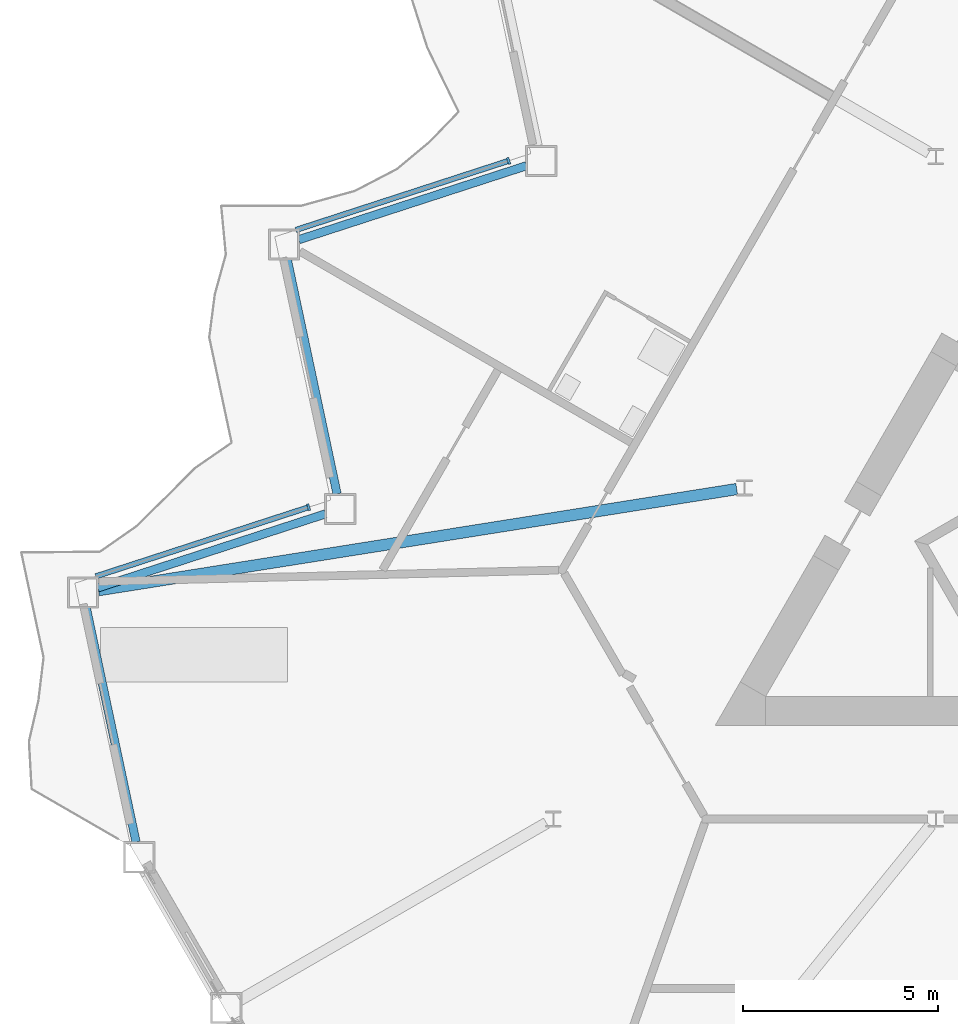
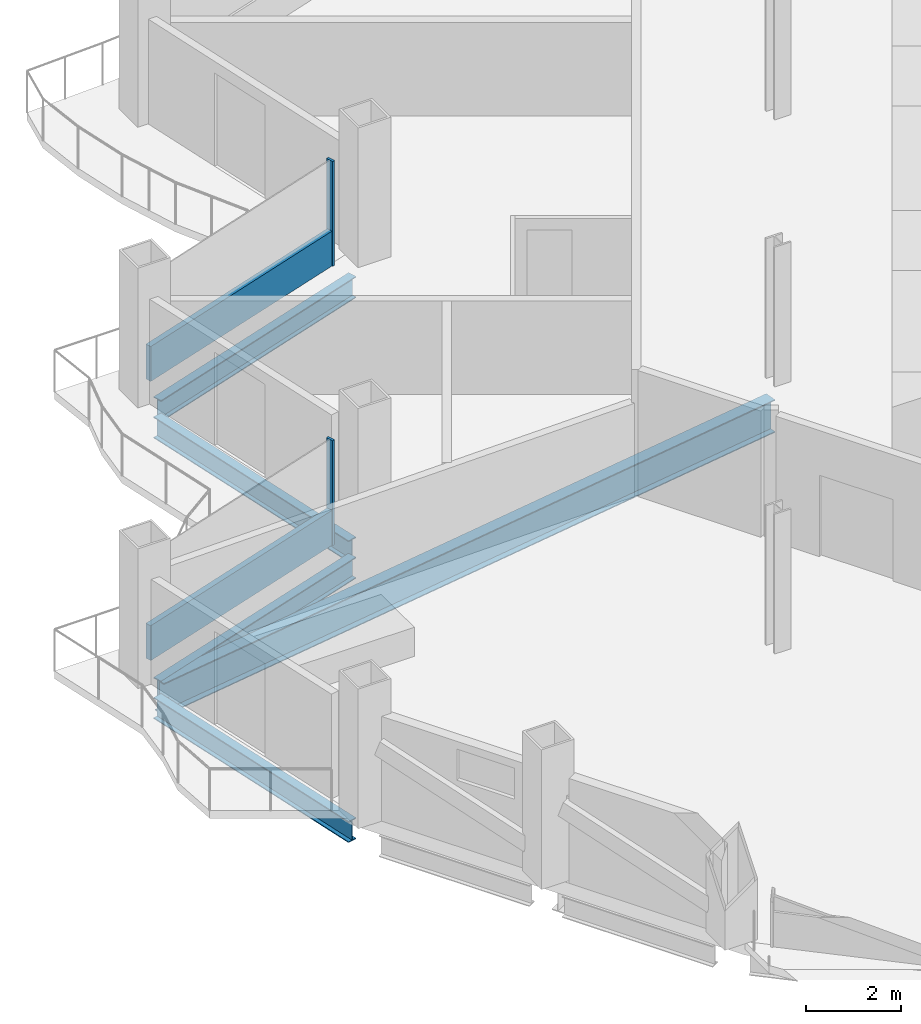
# One storey, part 4 of 22: 5 beams, 4 members, 2 elements without a shape of their own.
"""IFC4 building model written with IfcOpenShell, lengths in metres."""

import ifcopenshell
import ifcopenshell.guid

model = None  # the IFC model being written
_history = None  # IfcOwnerHistory: only IFC2X3 demands one
_inside = {}  # id of a spatial element -> (the spatial element, [elements in it])
_under = {}  # id of a project, library or spatial element -> (it, [spatial elements below it])
_declared = {}  # id of a project -> (the project, [libraries it declares])
_typed = {}  # id of a type object -> (the type object, [elements of that type])
_made_of = {}  # id of a material, layer set ... -> (it, [elements and type objects made of it])


def new_model(schema):
    """Start an empty IFC model of exactly this schema.

    Asked for "IFC4X3", IfcOpenShell would pick the latest addendum, in which some entities
    have other attributes; the version numbers below select the first issue.
    IFC2X3 requires an IfcOwnerHistory on every rooted entity: one is made here for all.
    """
    global model, _history
    if schema == "IFC4X3":
        model = ifcopenshell.file(schema_version=(4, 3, 0, 0))
    else:
        model = ifcopenshell.file(schema=schema)
    _inside.clear()
    _under.clear()
    _declared.clear()
    _typed.clear()
    _made_of.clear()
    _history = None
    if model.schema == "IFC2X3":
        org = make("IfcOrganization", Name="unknown")
        user = make(
            "IfcPersonAndOrganization",
            ThePerson=make("IfcPerson", FamilyName="unknown"),
            TheOrganization=org,
        )
        app = make(
            "IfcApplication",
            ApplicationDeveloper=org,
            Version="unknown",
            ApplicationFullName="unknown",
            ApplicationIdentifier="unknown",
        )
        _history = make(
            "IfcOwnerHistory",
            OwningUser=user,
            OwningApplication=app,
            ChangeAction="ADDED",
            CreationDate=0,
        )
    return model


def make(cls, **values):
    """One entity of the class cls with the attributes given. An attribute that is None is left unset."""
    return model.create_entity(
        cls, **{name: value for name, value in values.items() if value is not None}
    )


def rooted(cls, **values):
    """An entity with a GlobalId (a new one), such as an element, a storey or a relation."""
    return make(cls, GlobalId=ifcopenshell.guid.new(), OwnerHistory=_history, **values)


def si_unit(unit_type, name, prefix=None):
    """IfcSIUnit, for example si_unit("LENGTHUNIT", "METRE", prefix="MILLI")."""
    return make("IfcSIUnit", UnitType=unit_type, Prefix=prefix, Name=name)


def assignment(units):
    """IfcUnitAssignment: the units of a project."""
    return None if units is None else make("IfcUnitAssignment", Units=units)


def point(xyz):
    """IfcCartesianPoint."""
    return None if xyz is None else make("IfcCartesianPoint", Coordinates=xyz)


def direction(xyz):
    """IfcDirection."""
    return None if xyz is None else make("IfcDirection", DirectionRatios=xyz)


def frame(location, z_axis=None, x_axis=None):
    """IfcAxis2Placement3D, a coordinate frame: its origin and axes. An axis left out is left unset."""
    return make(
        "IfcAxis2Placement3D",
        Location=point(location),
        Axis=direction(z_axis),
        RefDirection=direction(x_axis),
    )


def frame_2d(location, x_axis=None):
    """IfcAxis2Placement2D, a coordinate frame in the plane: its origin and x axis."""
    return make(
        "IfcAxis2Placement2D", Location=point(location), RefDirection=direction(x_axis)
    )


def origin():
    """The frame at (0, 0, 0) with its axes left unset."""
    return frame((0.0, 0.0, 0.0))


def origin_2d():
    """The frame at (0, 0) in the plane with its x axis left unset."""
    return frame_2d((0.0, 0.0))


def place(relative_to, where):
    """IfcLocalPlacement: puts the frame where relative to a parent placement (None: the world)."""
    return make(
        "IfcLocalPlacement", PlacementRelTo=relative_to, RelativePlacement=where
    )


def context(
    kind, dimensions, precision=None, world=None, true_north=None, identifier=None
):
    """IfcGeometricRepresentationContext, for example the 3D "Model" context."""
    return make(
        "IfcGeometricRepresentationContext",
        ContextIdentifier=identifier,
        ContextType=kind,
        CoordinateSpaceDimension=dimensions,
        Precision=precision,
        WorldCoordinateSystem=world,
        TrueNorth=true_north,
    )


def subcontext(parent, identifier, kind, view, scale=None):
    """IfcGeometricRepresentationSubContext, for example "Body" below "Model"."""
    return make(
        "IfcGeometricRepresentationSubContext",
        ContextIdentifier=identifier,
        ContextType=kind,
        ParentContext=parent,
        TargetScale=scale,
        TargetView=view,
    )


def project(units=None, contexts=None):
    """IfcProject with its units and contexts."""
    return rooted(
        "IfcProject",
        Name="project",
        RepresentationContexts=contexts,
        UnitsInContext=assignment(units),
    )


def spatial(cls, under=None, at=None, **own):
    """A site, building, storey or space (cls), placed at a placement, below another one or the project."""
    s = rooted(cls, ObjectPlacement=at, **own)
    if under is not None:
        _under.setdefault(under.id(), (under, []))[1].append(s)
    return s


def profile(cls, at=None, kind="AREA", **sizes):
    """A parametric profile (cls). Its sizes go by their IFC names, for example OverallWidth=200.0."""
    return make(cls, ProfileType=kind, Position=at, **sizes)


def rectangle(**sizes):
    """IfcRectangleProfileDef."""
    return profile("IfcRectangleProfileDef", **sizes)


def i_section(**sizes):
    """IfcIShapeProfileDef."""
    return profile("IfcIShapeProfileDef", **sizes)


def extrude(swept, where, along, depth):
    """IfcExtrudedAreaSolid: the profile swept, set in the frame where, extruded along a direction by depth."""
    return make(
        "IfcExtrudedAreaSolid",
        SweptArea=swept,
        Position=where,
        ExtrudedDirection=direction(along),
        Depth=depth,
    )


def shape(context_of_items, identifier, shape_type, items):
    """IfcShapeRepresentation: the items that make up one representation, for example the "Body"."""
    return make(
        "IfcShapeRepresentation",
        ContextOfItems=context_of_items,
        RepresentationIdentifier=identifier,
        RepresentationType=shape_type,
        Items=items,
    )


def material(Name=None, Category=None):
    """IfcMaterial."""
    return make("IfcMaterial", Name=Name, Category=Category)


def layer(
    of_material, thickness, ventilated=None, Name=None, Category=None, Priority=None
):
    """IfcMaterialLayer: one layer of a wall or slab, of a material (None: an air gap)."""
    return make(
        "IfcMaterialLayer",
        Material=of_material,
        LayerThickness=thickness,
        IsVentilated=ventilated,
        Name=Name,
        Category=Category,
        Priority=Priority,
    )


def layer_set(layers, Name=None):
    """IfcMaterialLayerSet."""
    return make("IfcMaterialLayerSet", MaterialLayers=layers, LayerSetName=Name)


def material_profile(
    of_material, cross_section, Name=None, Category=None, Priority=None
):
    """IfcMaterialProfile: a cross section and its material."""
    return make(
        "IfcMaterialProfile",
        Name=Name,
        Material=of_material,
        Profile=cross_section,
        Priority=Priority,
        Category=Category,
    )


def profile_set(profiles, Name=None, composite=None):
    """IfcMaterialProfileSet."""
    return make(
        "IfcMaterialProfileSet",
        Name=Name,
        MaterialProfiles=profiles,
        CompositeProfile=composite,
    )


def made_of(thing, what):
    """Note that an element or type object is made of a material, layer set ...; save() writes the relation."""
    if what is not None:
        _made_of.setdefault(what.id(), (what, []))[1].append(thing)
    return thing


def type_object(cls, material=None, **own):
    """A type object (cls), such as IfcWallType, which elements share."""
    return made_of(rooted(cls, **own), material)


def element(
    cls,
    number,
    at=None,
    inside=None,
    cuts=None,
    type_object=None,
    material=None,
    context=None,
    identifier="Body",
    shape_type=None,
    held_by="IfcProductDefinitionShape",
    body=None,
    shapes=None,
    **own,
):
    """One element of the class cls, such as IfcWall. Its Tag is "e" and its number.

    at: its placement. inside: the storey or other place that contains it. cuts: it is an
    opening in that element (IfcRelVoidsElement). A single representation is given by context,
    identifier, shape_type and body (its items); several are given by shapes. held_by: the class
    of the entity that holds the representations. save() writes the other relations.
    """
    e = rooted(cls, Tag="e%d" % number, ObjectPlacement=at, **own)
    if body is not None:
        shapes = [shape(context, identifier, shape_type, body)]
    if shapes is not None:
        e.Representation = make(held_by, Representations=shapes)
    if inside is not None:
        _inside.setdefault(inside.id(), (inside, []))[1].append(e)
    if cuts is not None:
        rooted(
            "IfcRelVoidsElement", RelatingBuildingElement=cuts, RelatedOpeningElement=e
        )
    if type_object is not None:
        _typed.setdefault(type_object.id(), (type_object, []))[1].append(e)
    return made_of(e, material)


def aggregate(whole, parts):
    """IfcRelAggregates: a whole, such as a stair, and the parts it consists of."""
    return rooted("IfcRelAggregates", RelatingObject=whole, RelatedObjects=parts)


def save(model, path):
    """Write the relations noted so far, then the file.

    IfcRelAggregates (storeys below a building ...), IfcRelContainedInSpatialStructure (elements
    in a storey), IfcRelDefinesByType, IfcRelAssociatesMaterial and IfcRelDeclares: one each for
    every whole, place, type object, material and project.
    """
    for whole, parts in _under.values():
        aggregate(whole, parts)
    for where, things in _inside.values():
        rooted(
            "IfcRelContainedInSpatialStructure",
            RelatedElements=things,
            RelatingStructure=where,
        )
    for kind, things in _typed.values():
        rooted("IfcRelDefinesByType", RelatedObjects=things, RelatingType=kind)
    for what, things in _made_of.values():
        rooted("IfcRelAssociatesMaterial", RelatedObjects=things, RelatingMaterial=what)
    for by, libraries in _declared.values():
        rooted("IfcRelDeclares", RelatingContext=by, RelatedDefinitions=libraries)
    model.write(path)


model = new_model("IFC4")

# Units and contexts
model_context = context("Model", 3, precision=1e-05, world=origin(), true_north=direction((0.0, 1.0)))
body_context = subcontext(model_context, "Body", "Model", "MODEL_VIEW")
ifc_project = project(units=[si_unit("LENGTHUNIT", "METRE"), si_unit("AREAUNIT", "SQUARE_METRE"), si_unit("VOLUMEUNIT", "CUBIC_METRE"), si_unit("PLANEANGLEUNIT", "RADIAN"), si_unit("MASSUNIT", "GRAM", prefix="KILO")], contexts=[model_context])

# Site, building, storey
site_placement = place(None, origin())
site = spatial("IfcSite", under=ifc_project, at=site_placement, CompositionType="ELEMENT")
building_placement = place(site_placement, origin())
building = spatial("IfcBuilding", under=site, at=building_placement, Name="Cormorant Prow Tower", CompositionType="ELEMENT")
storey_placement = place(building_placement, frame((0.0, 0.0, 198.0)))
storey = spatial("IfcBuildingStorey", under=building, at=storey_placement, Name="L43", CompositionType="ELEMENT", Elevation=198.0)

# Curtain wall, member
ifc_material_1 = material(Name="Aluminium 6063-T6", Category="aluminium")
ifc_layer = layer(ifc_material_1, 0.179931640625)
ifc_layer_set = layer_set([ifc_layer], Name="Aluminium 6063-T6")
curtain_wall_type = type_object("IfcCurtainWallType", Name="Hotel unitised curtain wall 180", PredefinedType="NOTDEFINED", material=ifc_layer_set)
curtain_wall_1_placement = place(storey_placement, origin())
curtain_wall_1 = element("IfcCurtainWall", 1, at=curtain_wall_1_placement, inside=storey, type_object=curtain_wall_type, Name="Hotel curtain wall WNW06", PredefinedType="NOTDEFINED")
ifc_material_2 = material(Name="Aluminium 6063-T6", Category="aluminium")
ifc_material_profile_1 = material_profile(ifc_material_2, rectangle(XDim=0.179931640625, YDim=0.06005859375, at=origin_2d()), Name="Hotel mullion 60x180")
ifc_profile_set_1 = profile_set([ifc_material_profile_1], Name="Aluminium 6063-T6")
member_type_1 = type_object("IfcMemberType", Name="Hotel mullion 60x180", PredefinedType="MULLION", material=ifc_profile_set_1)
member_1_placement = place(storey_placement, frame((-20.803955078125, 5.564697265625, 0.0), z_axis=(0.0, 0.0, 1.0), x_axis=(0.309016983088, -0.951056519963, 0.0)))
member_1 = element("IfcMember", 2, at=member_1_placement, type_object=member_type_1, Name="Hotel mullion WNW06", PredefinedType="MULLION", context=body_context, shape_type="SweptSolid", body=[
    extrude(rectangle(XDim=0.179931640625, YDim=0.06005859375, at=origin_2d()), origin(), (0.0, 0.0, 1.0), 2.700927734375),
])

curtain_wall_2_placement = place(storey_placement, origin())
curtain_wall_2 = element("IfcCurtainWall", 3, at=curtain_wall_2_placement, inside=storey, type_object=curtain_wall_type, Name="Hotel curtain wall WNW08", PredefinedType="NOTDEFINED")
member_2_placement = place(storey_placement, frame((-25.942626953125, -3.335693359375, 0.0), z_axis=(0.0, 0.0, 1.0), x_axis=(0.309017113905, -0.951056477458, 0.0)))
member_2 = element("IfcMember", 4, at=member_2_placement, type_object=member_type_1, Name="Hotel mullion WNW08", PredefinedType="MULLION", context=body_context, shape_type="SweptSolid", body=[
    extrude(rectangle(XDim=0.179931640625, YDim=0.06005859375, at=origin_2d()), origin(), (0.0, 0.0, 1.0), 2.700927734375),
])

# Member
ifc_material_3 = material(Name="Terracotta", Category="masonry")
ifc_material_profile_2 = material_profile(ifc_material_3, rectangle(XDim=0.139892578125, YDim=0.89990234375, at=origin_2d()), Name="Hotel terracotta spandrel rail 140x900")
ifc_profile_set_2 = profile_set([ifc_material_profile_2], Name="Terracotta")
member_type_2 = type_object("IfcMemberType", Name="Hotel terracotta spandrel rail 140x900", PredefinedType="USERDEFINED", material=ifc_profile_set_2)
member_3_placement = place(storey_placement, frame((-20.83251953125, 5.555419921875, 0.449951171875), z_axis=(-0.951046930977, -0.309046493394, 0.0), x_axis=(0.309046493394, -0.951046930977, 0.0)))
member_3 = element("IfcMember", 5, at=member_3_placement, type_object=member_type_2, Name="Hotel spandrel rail WNW06", ObjectType="TRANSOM", PredefinedType="USERDEFINED", context=body_context, shape_type="SweptSolid", body=[
    extrude(rectangle(XDim=0.139892578125, YDim=0.89990234375, at=origin_2d()), origin(), (0.0, 0.0, 1.0), 5.71875),
])

aggregate(curtain_wall_1, [member_1, member_3])

member_4_placement = place(storey_placement, frame((-25.970947265625, -3.344970703125, 0.449951171875), z_axis=(-0.951059478258, -0.309007878243, 0.0), x_axis=(0.309007878243, -0.951059478258, 0.0)))
member_4 = element("IfcMember", 6, at=member_4_placement, type_object=member_type_2, Name="Hotel spandrel rail WNW08", ObjectType="TRANSOM", PredefinedType="USERDEFINED", context=body_context, shape_type="SweptSolid", body=[
    extrude(rectangle(XDim=0.139892578125, YDim=0.89990234375, at=origin_2d()), origin(), (0.0, 0.0, 1.0), 5.718505859375),
])

aggregate(curtain_wall_2, [member_2, member_4])

# Beams
ifc_material_4 = material(Name="Structural steel ASTM A992 Gr 50", Category="steel")
ifc_material_profile_3 = material_profile(ifc_material_4, i_section(OverallWidth=0.29296875, OverallDepth=0.845703125, WebThickness=0.015380859375, FlangeThickness=0.0244140625, at=origin_2d()), Name="W33x141")
ifc_profile_set_3 = profile_set([ifc_material_profile_3], Name="Structural steel ASTM A992 Gr 50")
beam_type_1 = type_object("IfcBeamType", Name="Radial floor beam W33x141", PredefinedType="BEAM", material=ifc_profile_set_3)
beam_1_placement = place(storey_placement, frame((-14.94384765625, -2.869140625, -0.77294921875), z_axis=(-0.987678058302, -0.156499371084, 0.0), x_axis=(0.156499371084, -0.987678058302, 0.0)))
element("IfcBeam", 7, at=beam_1_placement, inside=storey, type_object=beam_type_1, Name="Radial floor beam FB2 4 L43", PredefinedType="BEAM", context=body_context, shape_type="SweptSolid", body=[
    extrude(i_section(OverallWidth=0.29296875, OverallDepth=0.845703125, WebThickness=0.015380859375, FlangeThickness=0.0244140625, at=origin_2d()), origin(), (0.0, 0.0, 1.0), 16.604736328125),
])
ifc_material_5 = material(Name="Structural steel ASTM A992 Gr 50", Category="steel")
ifc_material_profile_4 = material_profile(ifc_material_5, i_section(OverallWidth=0.2138671875, OverallDepth=0.549072265625, WebThickness=0.0146484375, FlangeThickness=0.023681640625, at=origin_2d()), Name="W21x93")
ifc_profile_set_4 = profile_set([ifc_material_profile_4], Name="Structural steel ASTM A992 Gr 50")
beam_type_2 = type_object("IfcBeamType", Name="Spandrel beam W21x93", PredefinedType="SPANDREL", material=ifc_profile_set_4)
beam_2_placement = place(storey_placement, frame((-20.344970703125, 5.439208984375, -0.62451171875), z_axis=(-0.951057696564, -0.309013361859, 0.0), x_axis=(0.309013361859, -0.951057696564, 0.0)))
element("IfcBeam", 8, at=beam_2_placement, inside=storey, type_object=beam_type_2, Name="Spandrel beam SB2 WNW06-WNW07 L43", PredefinedType="SPANDREL", context=body_context, shape_type="SweptSolid", body=[
    extrude(i_section(OverallWidth=0.2138671875, OverallDepth=0.549072265625, WebThickness=0.0146484375, FlangeThickness=0.023681640625, at=origin_2d()), origin(), (0.0, 0.0, 1.0), 6.14990234375),
])
beam_3_placement = place(storey_placement, frame((-26.490966796875, 3.02392578125, -0.62451171875), z_axis=(0.207904811195, -0.978149063018, 0.0), x_axis=(0.978149063018, 0.207904811195, 0.0)))
element("IfcBeam", 9, at=beam_3_placement, inside=storey, type_object=beam_type_2, Name="Spandrel beam SB2 WNW07-WNW08 L43", PredefinedType="SPANDREL", context=body_context, shape_type="SweptSolid", body=[
    extrude(i_section(OverallWidth=0.2138671875, OverallDepth=0.549072265625, WebThickness=0.0146484375, FlangeThickness=0.023681640625, at=origin_2d()), origin(), (0.0, 0.0, 1.0), 6.149658203125),
])
beam_4_placement = place(storey_placement, frame((-25.509765625, -3.50634765625, -0.62451171875), z_axis=(-0.951057696564, -0.309013361859, 0.0), x_axis=(0.309013361859, -0.951057696564, 0.0)))
element("IfcBeam", 10, at=beam_4_placement, inside=storey, type_object=beam_type_2, Name="Spandrel beam SB2 WNW08-WNW09 L43", PredefinedType="SPANDREL", context=body_context, shape_type="SweptSolid", body=[
    extrude(i_section(OverallWidth=0.2138671875, OverallDepth=0.549072265625, WebThickness=0.0146484375, FlangeThickness=0.023681640625, at=origin_2d()), origin(), (0.0, 0.0, 1.0), 6.14990234375),
])
beam_5_placement = place(storey_placement, frame((-31.65576171875, -5.921630859375, -0.62451171875), z_axis=(0.207904811195, -0.978149063018, 0.0), x_axis=(0.978149063018, 0.207904811195, 0.0)))
element("IfcBeam", 11, at=beam_5_placement, inside=storey, type_object=beam_type_2, Name="Spandrel beam SB2 WNW09-WSW00 L43", PredefinedType="SPANDREL", context=body_context, shape_type="SweptSolid", body=[
    extrude(i_section(OverallWidth=0.2138671875, OverallDepth=0.549072265625, WebThickness=0.0146484375, FlangeThickness=0.023681640625, at=origin_2d()), origin(), (0.0, 0.0, 1.0), 6.149658203125),
])

save(model, "model.ifc")
